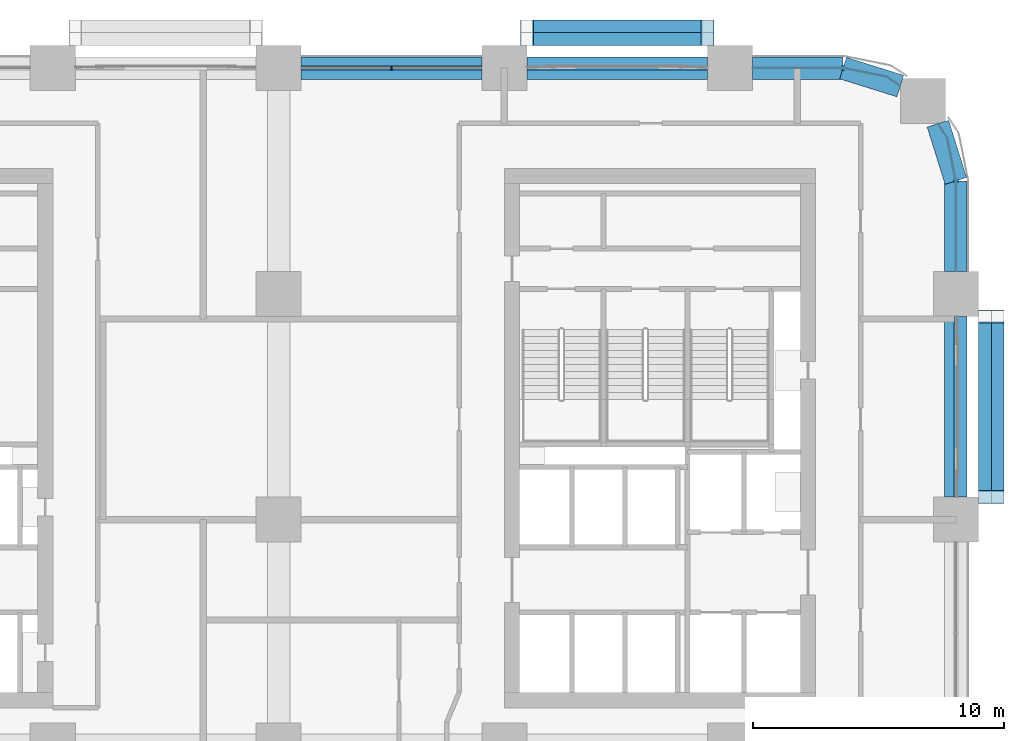
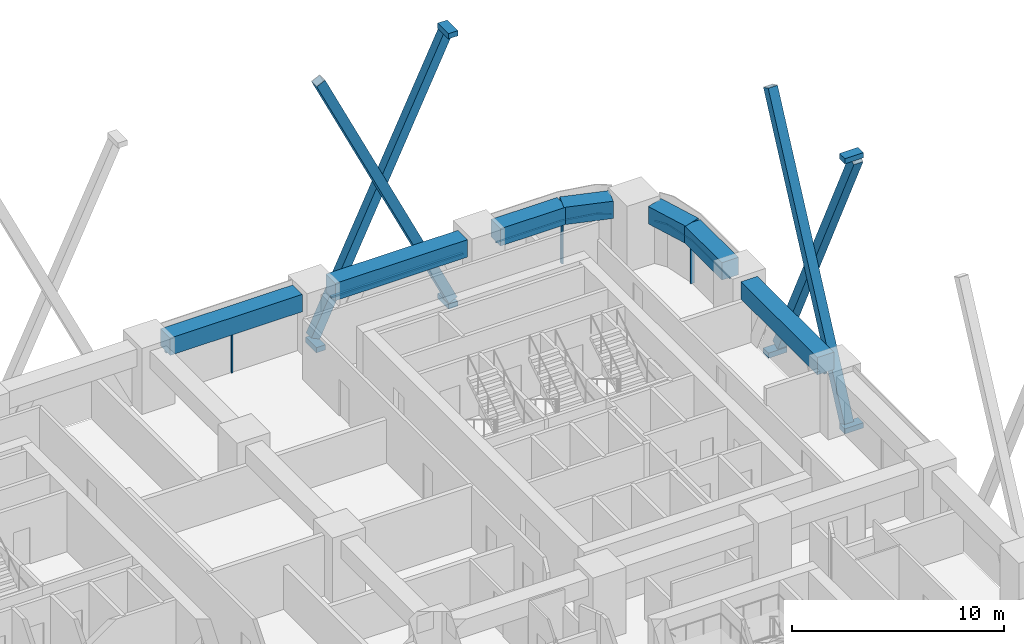
# One storey, part 8 of 19: 18 members, 7 beams, 5 elements without a shape of their own.
"""IFC4 building model written with IfcOpenShell, lengths in metres."""

from ifc_helpers import new_model, si_unit, direction, frame, origin, origin_2d, place, context, subcontext, project, spatial, polyline, rectangle, hollow_rectangle, outline, extrude, material, layer, layer_set, material_profile, profile_set, type_object, element, aggregate, save


model = new_model("IFC4")

# Units and contexts
model_context = context("Model", 3, precision=1e-05, world=origin(), true_north=direction((0.0, 1.0)))
body_context = subcontext(model_context, "Body", "Model", "MODEL_VIEW")
ifc_project = project(units=[si_unit("LENGTHUNIT", "METRE"), si_unit("AREAUNIT", "SQUARE_METRE"), si_unit("VOLUMEUNIT", "CUBIC_METRE"), si_unit("PLANEANGLEUNIT", "RADIAN"), si_unit("MASSUNIT", "GRAM", prefix="KILO")], contexts=[model_context])

# Site, building, storey
site_placement = place(None, origin())
site = spatial("IfcSite", under=ifc_project, at=site_placement, CompositionType="ELEMENT")
building_placement = place(site_placement, origin())
building = spatial("IfcBuilding", under=site, at=building_placement, Name="Tessera Arch", CompositionType="ELEMENT")
storey_placement = place(building_placement, frame((0.0, 0.0, 108.199951171875)))
storey = spatial("IfcBuildingStorey", under=building, at=storey_placement, Name="L25", CompositionType="ELEMENT", Elevation=108.199951171875)

# Members
ifc_material_1 = material(Name="Steel A500 Gr C", Category="steel")
ifc_material_profile_1 = material_profile(ifc_material_1, hollow_rectangle(XDim=0.508056640625, YDim=0.508056640625, WallThickness=0.0146484375, at=origin_2d()), Name="HSS20x20x5/8")
ifc_profile_set_1 = profile_set([ifc_material_profile_1], Name="Steel A500 Gr C")
member_type_1 = type_object("IfcMemberType", Name="Brace HSS20x20x5/8 Steel A500 Gr C", PredefinedType="BRACE", material=ifc_profile_set_1)
for number, where, z_axis, x_axis, name in (
    (1, (44.10009765625, 55.154052734375, -0.800048828125), (-0.432740607972, 0.0, 0.90151847802), (0.0, -1.0, 0.0), "Brace N54.0-0 A L25-L28"),
    (2, (36.89990234375, 55.662109375, -0.800048828125), (0.432740607972, 0.0, 0.90151847802), (0.0, 1.0, 0.0), "Brace N54.0-0 B L25-L28"),
    (3, (55.154052734375, 36.89990234375, -0.800048828125), (0.0, 0.432740607972, 0.90151847802), (-1.0, 0.0, 0.0), "Brace E54.0-4 A L25-L28"),
    (4, (55.662109375, 44.10009765625, -0.800048828125), (0.0, -0.432740607972, 0.90151847802), (1.0, 0.0, 0.0), "Brace E54.0-4 B L25-L28"),
):
    element("IfcMember", number, at=place(storey_placement, frame(where, z_axis=z_axis, x_axis=x_axis)), inside=storey, type_object=member_type_1, Name=name, PredefinedType="BRACE", context=body_context, shape_type="SweptSolid", body=[
        extrude(hollow_rectangle(XDim=0.508056640625, YDim=0.508056640625, WallThickness=0.0146484375, at=origin_2d()), origin(), (0.0, 0.0, 1.0), 16.638671875),
    ])

# Curtain wall, members
ifc_material_2 = material(Name="CW1 curtain wall")
curtain_wall_type_1 = type_object("IfcCurtainWallType", Name="CW1 curtain wall", PredefinedType="NOTDEFINED", material=ifc_material_2)
curtain_wall_1_placement = place(storey_placement, origin())
curtain_wall_1 = element("IfcCurtainWall", 5, at=curtain_wall_1_placement, inside=storey, type_object=curtain_wall_type_1, Name="CW1 curtain wall N54.0/1 L25", PredefinedType="NOTDEFINED")
ifc_material_3 = material(Name="Anodised aluminium pale metal", Category="aluminium")
ifc_material_profile_2 = material_profile(ifc_material_3, rectangle(XDim=0.159912109375, YDim=0.06005859375, at=origin_2d()), Name="AL 60x160")
ifc_profile_set_2 = profile_set([ifc_material_profile_2], Name="Anodised aluminium pale metal")
member_type_2 = type_object("IfcMemberType", Name="CW1 mullion", PredefinedType="MULLION", material=ifc_profile_set_2)
member_1_placement = place(storey_placement, frame((31.5, 54.0, 0.0), z_axis=(0.0, 0.0, 1.0), x_axis=(0.0, -1.0, 0.0)))
member_1 = element("IfcMember", 6, at=member_1_placement, type_object=member_type_2, Name="CW1 mullion N54.0/1 1", PredefinedType="MULLION", context=body_context, shape_type="SweptSolid", body=[
    extrude(rectangle(XDim=0.159912109375, YDim=0.06005859375, at=origin_2d()), origin(), (0.0, 0.0, 1.0), 2.400146484375),
])
ifc_material_4 = material(Name="Anodised aluminium pale metal", Category="aluminium")
ifc_material_profile_3 = material_profile(ifc_material_4, rectangle(XDim=0.159912109375, YDim=0.10009765625, at=origin_2d()), Name="AL 160x100")
ifc_profile_set_3 = profile_set([ifc_material_profile_3], Name="Anodised aluminium pale metal")
member_type_3 = type_object("IfcMemberType", Name="CW1 transom", PredefinedType="USERDEFINED", material=ifc_profile_set_3)
member_2_placement = place(storey_placement, frame((35.10009765625, 54.0, 2.449951171875), z_axis=(-1.0, 0.0, 0.0), x_axis=(0.0, -1.0, 0.0)))
member_2 = element("IfcMember", 7, at=member_2_placement, type_object=member_type_3, Name="CW1 transom N54.0/1 1.1", ObjectType="TRANSOM", PredefinedType="USERDEFINED", context=body_context, shape_type="SweptSolid", body=[
    extrude(rectangle(XDim=0.159912109375, YDim=0.10009765625, at=origin_2d()), origin(), (0.0, 0.0, 1.0), 7.2001953125),
])
aggregate(curtain_wall_1, [member_1, member_2])

# Curtain wall, member
ifc_material_5 = material(Name="CW2 curtain wall")
curtain_wall_type_2 = type_object("IfcCurtainWallType", Name="CW2 curtain wall", PredefinedType="NOTDEFINED", material=ifc_material_5)
curtain_wall_2_placement = place(storey_placement, origin())
curtain_wall_2 = element("IfcCurtainWall", 8, at=curtain_wall_2_placement, inside=storey, type_object=curtain_wall_type_2, Name="CW2 curtain wall E54.0/5 L25", PredefinedType="NOTDEFINED")
ifc_material_6 = material(Name="Anodised aluminium pale metal", Category="aluminium")
ifc_material_profile_4 = material_profile(ifc_material_6, rectangle(XDim=0.199951171875, YDim=0.080078125, at=origin_2d()), Name="AL 80x200")
ifc_profile_set_4 = profile_set([ifc_material_profile_4], Name="Anodised aluminium pale metal")
member_type_4 = type_object("IfcMemberType", Name="CW2 mullion", PredefinedType="MULLION", material=ifc_profile_set_4)
member_3_placement = place(storey_placement, frame((54.0, 49.5, 0.0), z_axis=(0.0, 0.0, 1.0), x_axis=(-1.0, 0.0, 0.0)))
member_3 = element("IfcMember", 9, at=member_3_placement, type_object=member_type_4, Name="CW2 mullion E54.0/5 1", PredefinedType="MULLION", context=body_context, shape_type="SweptSolid", body=[
    extrude(rectangle(XDim=0.199951171875, YDim=0.080078125, at=origin_2d()), origin(), (0.0, 0.0, 1.0), 2.400146484375),
])

curtain_wall_3_placement = place(storey_placement, origin())
curtain_wall_3 = element("IfcCurtainWall", 10, at=curtain_wall_3_placement, inside=storey, type_object=curtain_wall_type_2, Name="CW2 curtain wall N54.0/5 L25", PredefinedType="NOTDEFINED")
member_4_placement = place(storey_placement, frame((49.5, 54.0, 0.0), z_axis=(0.0, 0.0, 1.0), x_axis=(0.0, -1.0, 0.0)))
member_4 = element("IfcMember", 11, at=member_4_placement, type_object=member_type_4, Name="CW2 mullion N54.0/5 1", PredefinedType="MULLION", context=body_context, shape_type="SweptSolid", body=[
    extrude(rectangle(XDim=0.199951171875, YDim=0.080078125, at=origin_2d()), origin(), (0.0, 0.0, 1.0), 2.400146484375),
])

# Member
ifc_material_7 = material(Name="Anodised aluminium pale metal", Category="aluminium")
ifc_material_profile_5 = material_profile(ifc_material_7, rectangle(XDim=0.199951171875, YDim=0.10009765625, at=origin_2d()), Name="AL 200x100")
ifc_profile_set_5 = profile_set([ifc_material_profile_5], Name="Anodised aluminium pale metal")
member_type_5 = type_object("IfcMemberType", Name="CW2 transom", PredefinedType="USERDEFINED", material=ifc_profile_set_5)
member_5_placement = place(storey_placement, frame((0.0, 0.0, 2.400146484375)))
member_5 = element("IfcMember", 12, at=member_5_placement, type_object=member_type_5, Name="CW2 transom E54.0/5 1", ObjectType="TRANSOM", PredefinedType="USERDEFINED", context=body_context, shape_type="SweptSolid", body=[
    extrude(outline(polyline([(53.989990234375, 49.4990234375), (53.989990234375, 45.89990234375), (54.010009765625, 45.89990234375), (54.010009765625, 49.5009765625), (53.6669921875, 51.22607421875), (53.29150390625, 51.78759765625), (53.27490234375, 51.7763671875), (53.648193359375, 51.21826171875), (53.989990234375, 49.4990234375)])), origin(), (0.0, 0.0, 1.0), 0.099853515625),
])

aggregate(curtain_wall_2, [member_3, member_5])

member_6_placement = place(storey_placement, frame((0.0, 0.0, 2.400146484375)))
member_6 = element("IfcMember", 13, at=member_6_placement, type_object=member_type_5, Name="CW2 transom N54.0/5 1", ObjectType="TRANSOM", PredefinedType="USERDEFINED", context=body_context, shape_type="SweptSolid", body=[
    extrude(outline(polyline([(51.21826171875, 53.648193359375), (51.7763671875, 53.27490234375), (51.78759765625, 53.29150390625), (51.22607421875, 53.6669921875), (49.5009765625, 54.010009765625), (45.89990234375, 54.010009765625), (45.89990234375, 53.989990234375), (49.4990234375, 53.989990234375), (51.21826171875, 53.648193359375)])), origin(), (0.0, 0.0, 1.0), 0.099853515625),
])

aggregate(curtain_wall_3, [member_4, member_6])

# Curtain wall, member
ifc_material_8 = material(Name="CW3 curtain wall")
curtain_wall_type_3 = type_object("IfcCurtainWallType", Name="CW3 curtain wall", PredefinedType="NOTDEFINED", material=ifc_material_8)
curtain_wall_4_placement = place(storey_placement, origin())
curtain_wall_4 = element("IfcCurtainWall", 14, at=curtain_wall_4_placement, inside=storey, type_object=curtain_wall_type_3, Name="CW3 curtain wall N54.0/0 L25", PredefinedType="NOTDEFINED")
ifc_material_9 = material(Name="Anodised aluminium pale metal", Category="aluminium")
ifc_material_profile_6 = material_profile(ifc_material_9, rectangle(XDim=0.139892578125, YDim=0.10009765625, at=origin_2d()), Name="AL 140x100")
ifc_profile_set_6 = profile_set([ifc_material_profile_6], Name="Anodised aluminium pale metal")
member_type_6 = type_object("IfcMemberType", Name="CW3 transom", PredefinedType="USERDEFINED", material=ifc_profile_set_6)
member_7_placement = place(storey_placement, frame((44.10009765625, 54.0, 2.449951171875), z_axis=(-1.0, 0.0, 0.0), x_axis=(0.0, -1.0, 0.0)))
member_7 = element("IfcMember", 15, at=member_7_placement, type_object=member_type_6, Name="CW3 transom N54.0/0 1.1", ObjectType="TRANSOM", PredefinedType="USERDEFINED", context=body_context, shape_type="SweptSolid", body=[
    extrude(rectangle(XDim=0.139892578125, YDim=0.10009765625, at=origin_2d()), origin(), (0.0, 0.0, 1.0), 7.2001953125),
])
aggregate(curtain_wall_4, [member_7])

curtain_wall_5_placement = place(storey_placement, origin())
curtain_wall_5 = element("IfcCurtainWall", 16, at=curtain_wall_5_placement, inside=storey, type_object=curtain_wall_type_3, Name="CW3 curtain wall E54.0/4 L25", PredefinedType="NOTDEFINED")
member_8_placement = place(storey_placement, frame((54.0, 36.89990234375, 2.449951171875), z_axis=(0.0, 1.0, 0.0), x_axis=(-1.0, 0.0, 0.0)))
member_8 = element("IfcMember", 17, at=member_8_placement, type_object=member_type_6, Name="CW3 transom E54.0/4 1.1", ObjectType="TRANSOM", PredefinedType="USERDEFINED", context=body_context, shape_type="SweptSolid", body=[
    extrude(rectangle(XDim=0.139892578125, YDim=0.10009765625, at=origin_2d()), origin(), (0.0, 0.0, 1.0), 7.2001953125),
])
aggregate(curtain_wall_5, [member_8])

# Members
ifc_material_10 = material(Name="Steel A572 Gr50", Category="steel")
ifc_layer = layer(ifc_material_10, 0.050048828125)
ifc_layer_set = layer_set([ifc_layer], Name="Node block Steel A572 Gr50")
member_type_7 = type_object("IfcMemberType", Name="Node block Steel A572 Gr50", PredefinedType="PLATE", material=ifc_layer_set)
for number, where, z_axis, x_axis, name in (
    (18, (36.89990234375, 55.407958984375, -1.232421875), (0.0, 0.0, 1.0), (-1.0, 0.0, 0.0), "Node block seat N54.0-0 1 L25"),
    (19, (44.10009765625, 55.407958984375, -1.232421875), (0.0, 0.0, 1.0), (-1.0, 0.0, 0.0), "Node block seat N54.0-0 2 L25"),
    (20, (44.10009765625, 55.407958984375, 14.33251953125), (0.0, 0.0, 1.0), (-1.0, 0.0, 0.0), "Node block head N54.0-0 B L25"),
    (21, (55.407958984375, 44.10009765625, -1.232421875), (0.0, 0.0, 1.0), (0.0, 1.0, 0.0), "Node block seat E54.0-4 1 L25"),
    (22, (55.407958984375, 36.89990234375, -1.232421875), (0.0, 0.0, 1.0), (0.0, 1.0, 0.0), "Node block seat E54.0-4 2 L25"),
    (23, (55.407958984375, 36.89990234375, 14.33251953125), (0.0, 0.0, 1.0), (0.0, 1.0, 0.0), "Node block head E54.0-4 B L25"),
):
    element("IfcMember", number, at=place(storey_placement, frame(where, z_axis=z_axis, x_axis=x_axis)), inside=storey, type_object=member_type_7, Name=name, PredefinedType="PLATE", context=body_context, shape_type="SweptSolid", body=[
        extrude(rectangle(XDim=0.508056640625, YDim=1.01611328125, at=origin_2d()), origin(), (0.0, 0.0, 1.0), 0.300048828125),
    ])

# Beams
ifc_material_11 = material(Name="Concrete C80/95", Category="concrete")
ifc_material_profile_7 = material_profile(ifc_material_11, rectangle(XDim=0.89990234375, YDim=1.0, at=origin_2d()), Name="RC spandrel beam 900 x 1000 Concrete C80/95")
ifc_profile_set_7 = profile_set([ifc_material_profile_7], Name="Concrete C80/95")
beam_type = type_object("IfcBeamType", Name="RC spandrel beam 900 x 1000 Concrete C80/95", PredefinedType="BEAM", material=ifc_profile_set_7)
for number, where, z_axis, x_axis, name in (
    (24, (44.10009765625, 54.0, 3.0), (-1.0, 0.0, 0.0), (0.0, -1.0, 0.0), "Spandrel beam L25 N54.0/0"),
    (25, (35.10009765625, 54.0, 3.0), (-1.0, 0.0, 0.0), (0.0, -1.0, 0.0), "Spandrel beam L25 N54.0/1"),
    (26, (54.0, 36.89990234375, 3.0), (0.0, 1.0, 0.0), (-1.0, 0.0, 0.0), "Spandrel beam L25 E54.0/4"),
):
    element("IfcBeam", number, at=place(storey_placement, frame(where, z_axis=z_axis, x_axis=x_axis)), inside=storey, type_object=beam_type, Name=name, PredefinedType="BEAM", context=body_context, shape_type="SweptSolid", body=[
        extrude(rectangle(XDim=0.89990234375, YDim=1.0, at=origin_2d()), origin(), (0.0, 0.0, 1.0), 7.2001953125),
    ])
beam_1_placement = place(storey_placement, frame((54.0, 45.89990234375, 3.0), z_axis=(0.0, 1.0, 0.0), x_axis=(-1.0, 0.0, 0.0)))
element("IfcBeam", 27, at=beam_1_placement, inside=storey, type_object=beam_type, Name="Spandrel beam L25 E54.0/5.1", PredefinedType="BEAM", context=body_context, shape_type="SweptSolid", body=[
    extrude(rectangle(XDim=0.89990234375, YDim=1.0, at=origin_2d()), origin(), (0.0, 0.0, 1.0), 3.60009765625),
])
for number, where, z_axis, x_axis, name in (
    (28, (54.0, 49.5, 3.0), (-0.299675309057, 0.954041251279, 0.0), (-0.954041251279, -0.299675309057, 0.0), "Spandrel beam L25 E54.0/5.2"),
    (29, (51.781982421875, 53.283203125, 3.0), (-0.954041251279, 0.299675309057, 0.0), (-0.299675309057, -0.954041251279, 0.0), "Spandrel beam L25 N54.0/5.1"),
):
    element("IfcBeam", number, at=place(storey_placement, frame(where, z_axis=z_axis, x_axis=x_axis)), inside=storey, type_object=beam_type, Name=name, PredefinedType="BEAM", context=body_context, shape_type="SweptSolid", body=[
        extrude(rectangle(XDim=0.89990234375, YDim=1.0, at=origin_2d()), origin(), (0.0, 0.0, 1.0), 2.391845703125),
    ])
beam_2_placement = place(storey_placement, frame((49.5, 54.0, 3.0), z_axis=(-1.0, 0.0, 0.0), x_axis=(0.0, -1.0, 0.0)))
element("IfcBeam", 30, at=beam_2_placement, inside=storey, type_object=beam_type, Name="Spandrel beam L25 N54.0/5.2", PredefinedType="BEAM", context=body_context, shape_type="SweptSolid", body=[
    extrude(rectangle(XDim=0.89990234375, YDim=1.0, at=origin_2d()), origin(), (0.0, 0.0, 1.0), 3.60009765625),
])

save(model, "model.ifc")
